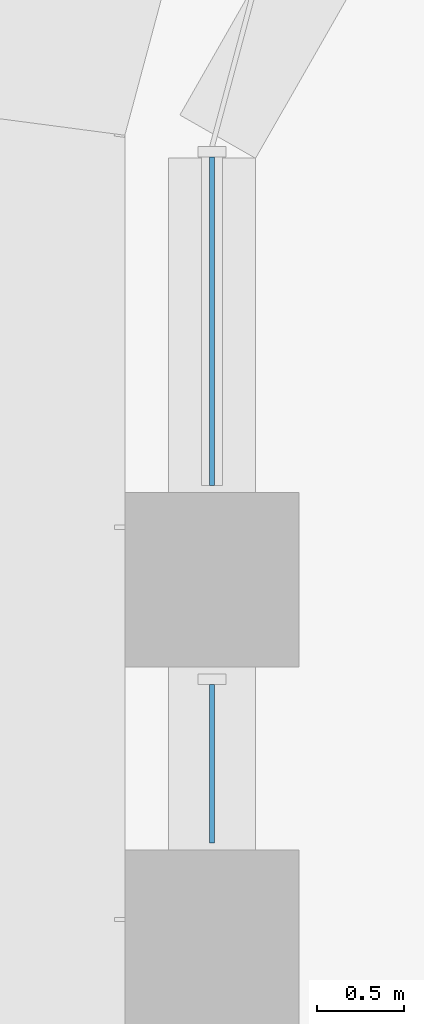
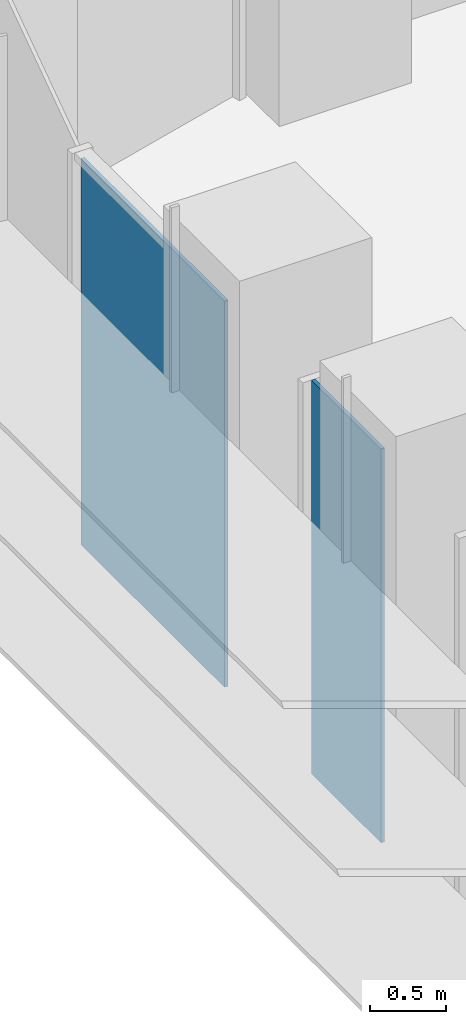
# One storey, part 14 of 23: 2 plates, 1 element without a shape of its own.
"""IFC4 building model written with IfcOpenShell, lengths in metres."""

from ifc_helpers import new_model, si_unit, direction, frame, origin, place, context, subcontext, project, spatial, polyline, outline, extrude, source, transform, mapped, material, layer, layer_set, type_object, element, aggregate, save


model = new_model("IFC4")

# Units and contexts
model_context = context("Model", 3, precision=1e-05, world=origin(), true_north=direction((0.0, 1.0)))
body_context = subcontext(model_context, "Body", "Model", "MODEL_VIEW")
ifc_project = project(units=[si_unit("LENGTHUNIT", "METRE"), si_unit("AREAUNIT", "SQUARE_METRE"), si_unit("VOLUMEUNIT", "CUBIC_METRE"), si_unit("PLANEANGLEUNIT", "RADIAN"), si_unit("MASSUNIT", "GRAM", prefix="KILO")], contexts=[model_context])

# Site, building, storey
site_placement = place(None, origin())
site = spatial("IfcSite", under=ifc_project, at=site_placement, CompositionType="ELEMENT")
building_placement = place(site_placement, origin())
building = spatial("IfcBuilding", under=site, at=building_placement, Name="Zarbagh Exchange Tower", CompositionType="ELEMENT")
storey_placement = place(building_placement, frame((0.0, 0.0, 48.0)))
storey = spatial("IfcBuildingStorey", under=building, at=storey_placement, Name="L10", CompositionType="ELEMENT", Elevation=48.0)

# Curtain wall, plates
ifc_material_1 = material(Name="Anodised aluminium frame and glazing", Category="aluminium")
curtain_wall_type = type_object("IfcCurtainWallType", Name="CWA Ribbon glazing, lower zones", PredefinedType="NOTDEFINED", material=ifc_material_1)
curtain_wall_placement = place(storey_placement, origin())
curtain_wall = element("IfcCurtainWall", 1, at=curtain_wall_placement, inside=storey, type_object=curtain_wall_type, Name="CWA28 curtain wall", PredefinedType="NOTDEFINED")
ifc_material_2 = material(Name="Low-e double glazed unit, 6+12+6 mm")
ifc_layer = layer(ifc_material_2, 0.028076171875)
ifc_layer_set = layer_set([ifc_layer], Name="PAA Glazing panel, Low-e double glazed unit, 6+12+6 mm")
plate_type = type_object("IfcPlateType", Name="PAA Glazing panel, Low-e double glazed unit, 6+12+6 mm", PredefinedType="CURTAIN_PANEL", material=ifc_layer_set)
shared_shape_1 = source(origin(), body_context, "Body", "SweptSolid", [
    extrude(outline(polyline([(0.0, -0.013916015625), (0.909912109375, -0.013916015625), (0.909912109375, 0.013916015625), (0.0, 0.013916015625), (0.0, -0.013916015625)])), origin(), (0.0, 0.0, 1.0), 3.14990234375),
])
placement = place(storey_placement, origin())
plate_1 = element("IfcPlate", 2, at=placement, type_object=plate_type, Name="CWA28 glazing panel 2.1", PredefinedType="CURTAIN_PANEL", context=body_context, shape_type="MappedRepresentation", body=[
    mapped(shared_shape_1, transform((-6.25, 26.099853515625, 0.0), x_axis=(0.0, -1.0, 0.0), y_axis=(1.0, 0.0, 0.0), z_axis=(0.0, 0.0, 1.0))),
])
shared_shape_2 = source(origin(), body_context, "Body", "SweptSolid", [
    extrude(outline(polyline([(0.0, -0.013916015625), (1.88427734375, -0.013916015625), (1.88427734375, 0.013916015625), (0.0, 0.013916015625), (0.0, -0.013916015625)])), origin(), (0.0, 0.0, 1.0), 3.090087890625),
])
plate_2 = element("IfcPlate", 3, at=placement, type_object=plate_type, Name="CWA28 glazing panel 1.1", PredefinedType="CURTAIN_PANEL", context=body_context, shape_type="MappedRepresentation", body=[
    mapped(shared_shape_2, transform((-6.25, 29.124267578125, 0.0), x_axis=(0.0, -1.0, 0.0), y_axis=(1.0, 0.0, 0.0), z_axis=(0.0, 0.0, 1.0))),
])
aggregate(curtain_wall, [plate_2, plate_1])

save(model, "model.ifc")
